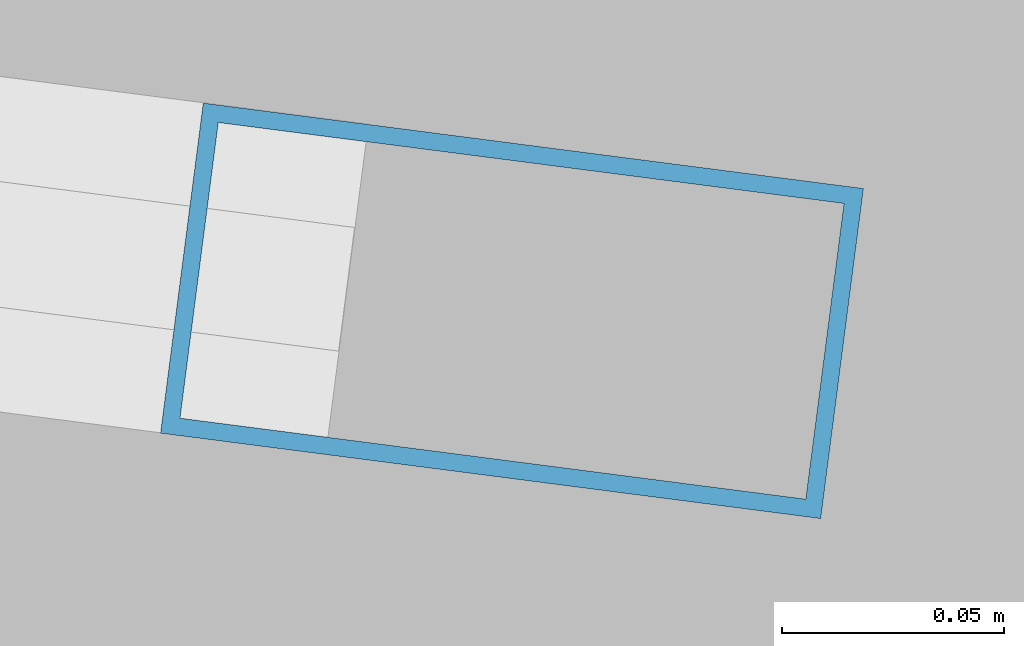
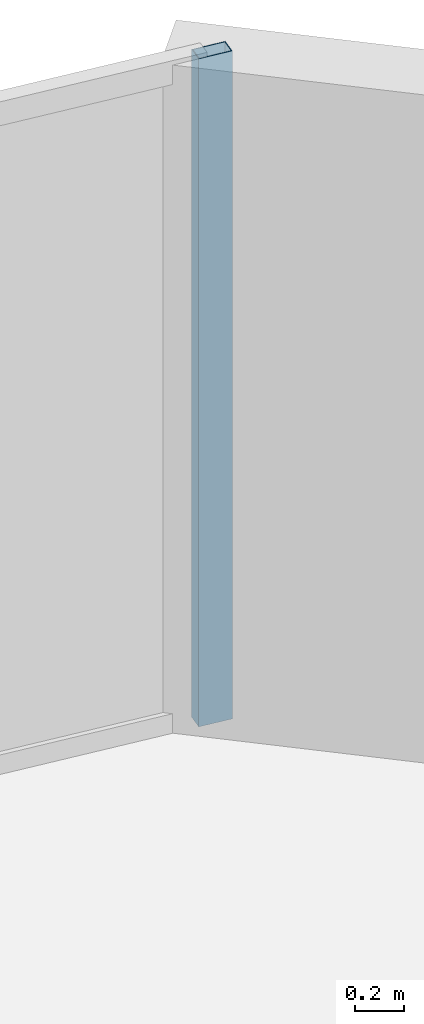
# One storey, part 21 of 33: 1 member, 1 element without a shape of its own.
"""IFC4 building model written with IfcOpenShell, lengths in metres."""

from ifc_helpers import new_model, si_unit, direction, frame, origin, origin_2d, place, context, subcontext, project, spatial, hollow_rectangle, extrude, material, layer, layer_set, material_profile, profile_set, type_object, element, aggregate, save


model = new_model("IFC4")

# Units and contexts
model_context = context("Model", 3, precision=1e-05, world=origin(), true_north=direction((0.0, 1.0)))
body_context = subcontext(model_context, "Body", "Model", "MODEL_VIEW")
ifc_project = project(units=[si_unit("LENGTHUNIT", "METRE"), si_unit("AREAUNIT", "SQUARE_METRE"), si_unit("VOLUMEUNIT", "CUBIC_METRE"), si_unit("PLANEANGLEUNIT", "RADIAN"), si_unit("MASSUNIT", "GRAM", prefix="KILO")], contexts=[model_context])

# Site, building, storey
site_placement = place(None, origin())
site = spatial("IfcSite", under=ifc_project, at=site_placement, CompositionType="ELEMENT")
building_placement = place(site_placement, origin())
building = spatial("IfcBuilding", under=site, at=building_placement, Name="Kazevale Care Tower and Concert Hall", CompositionType="ELEMENT")
storey_placement = place(building_placement, frame((0.0, 0.0, 153.0)))
storey = spatial("IfcBuildingStorey", under=building, at=storey_placement, Name="L40", CompositionType="ELEMENT", Elevation=153.0)

# Curtain wall, member
ifc_material_1 = material(Name="Aluminium 6063-T6 and Low-E Glass", Category="aluminium")
ifc_layer = layer(ifc_material_1, 0.179931640625)
ifc_layer_set = layer_set([ifc_layer], Name="Aluminium 6063-T6 and Low-E Glass")
curtain_wall_type = type_object("IfcCurtainWallType", Name="Convex Recessed Sunroom Curtain Wall CW-3", PredefinedType="NOTDEFINED", material=ifc_layer_set)
curtain_wall_placement = place(storey_placement, origin())
curtain_wall = element("IfcCurtainWall", 1, at=curtain_wall_placement, inside=storey, type_object=curtain_wall_type, Name="cw:L40:f16", PredefinedType="NOTDEFINED")
ifc_material_2 = material(Name="Aluminium 6063-T6", Category="aluminium")
ifc_material_profile = material_profile(ifc_material_2, hollow_rectangle(XDim=0.074951171875, YDim=0.14990234375, WallThickness=0.00390625, at=origin_2d()), Name="ALU75x150x4")
ifc_profile_set = profile_set([ifc_material_profile], Name="Aluminium 6063-T6")
member_type = type_object("IfcMemberType", Name="CW-3 Mullion ALU75x150x4", PredefinedType="MULLION", material=ifc_profile_set)
member_placement = place(storey_placement, frame((64.2587890625, 62.335693359375, 0.0), z_axis=(0.0, 0.0, 1.0), x_axis=(0.128299815569, 0.99173542708, 0.0)))
member = element("IfcMember", 2, at=member_placement, type_object=member_type, Name="CW-3 mullion 2", PredefinedType="MULLION", context=body_context, shape_type="SweptSolid", body=[
    extrude(hollow_rectangle(XDim=0.074951171875, YDim=0.14990234375, WallThickness=0.00390625, at=origin_2d()), origin(), (0.0, 0.0, 1.0), 3.360107421875),
])
aggregate(curtain_wall, [member])

save(model, "model.ifc")
